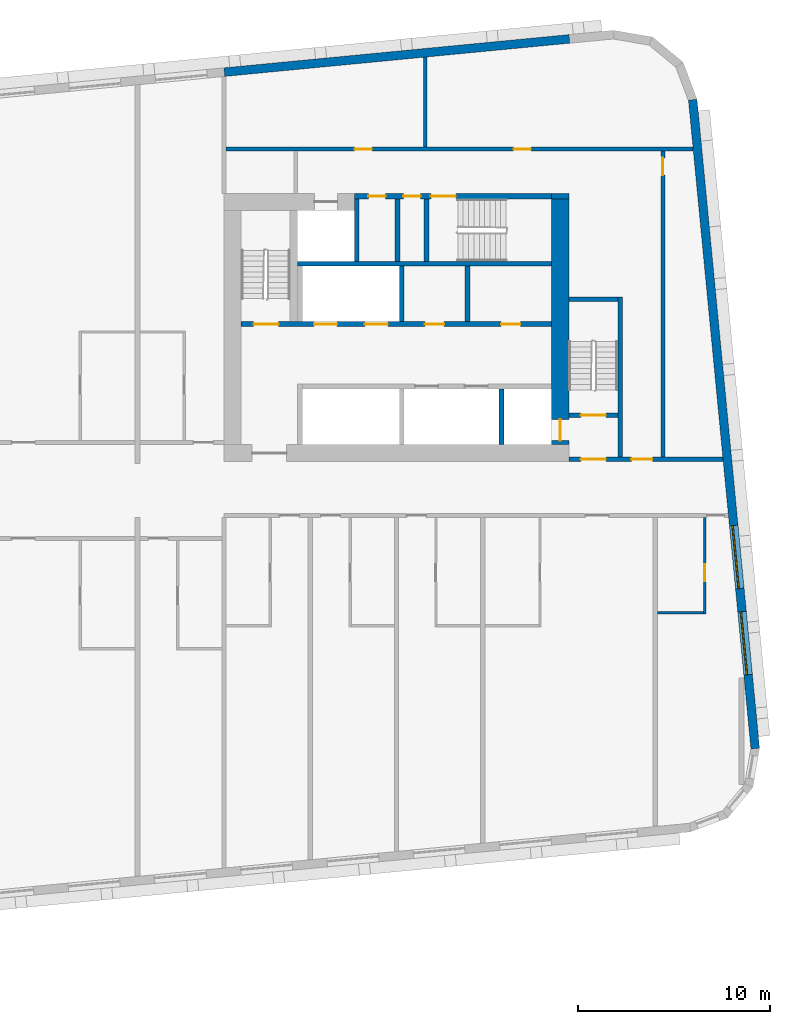
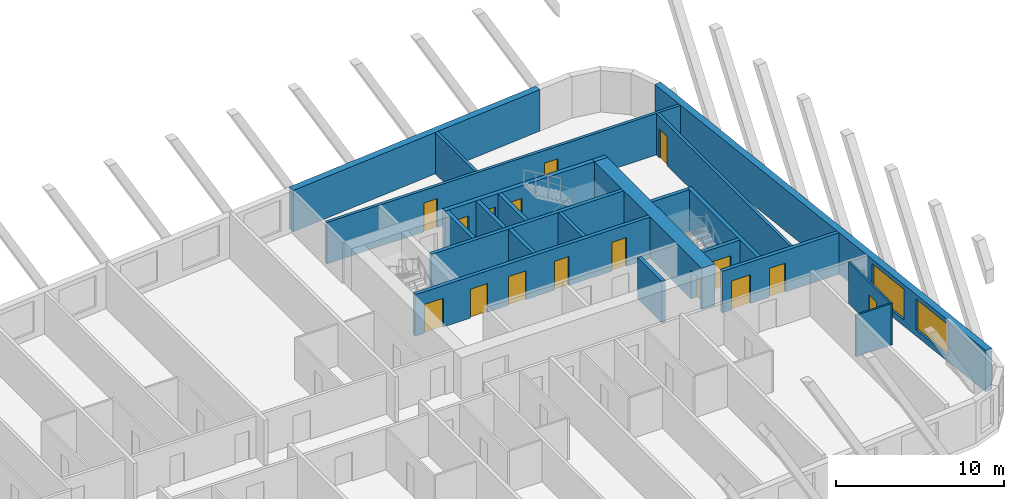
# One storey, part 7 of 13: 22 walls, 16 doors, 2 windows, 18 openings.
"""IFC4 building model written with IfcOpenShell, lengths in metres."""

from ifc_helpers import new_model, si_unit, direction, frame, frame_2d, origin, place, context, subcontext, project, spatial, rectangle, extrude, material, layer, layer_set, type_object, element, fill, save


model = new_model("IFC4")

# Units and contexts
model_context = context("Model", 3, precision=1e-05, world=origin(), true_north=direction((0.0, 1.0)))
body_context = subcontext(model_context, "Body", "Model", "MODEL_VIEW")
ifc_project = project(units=[si_unit("LENGTHUNIT", "METRE"), si_unit("AREAUNIT", "SQUARE_METRE"), si_unit("VOLUMEUNIT", "CUBIC_METRE"), si_unit("PLANEANGLEUNIT", "RADIAN"), si_unit("MASSUNIT", "GRAM", prefix="KILO")], contexts=[model_context])

# Site, building, storey
site_placement = place(None, origin())
site = spatial("IfcSite", under=ifc_project, at=site_placement, CompositionType="ELEMENT")
building_placement = place(site_placement, origin())
building = spatial("IfcBuilding", under=site, at=building_placement, Name="Kajstack Hotel Tower", CompositionType="ELEMENT")
storey_placement = place(building_placement, frame((0.0, 0.0, 166.89990234375)))
storey = spatial("IfcBuildingStorey", under=building, at=storey_placement, Name="L38", CompositionType="ELEMENT", Elevation=166.89990234375)

# Wall
ifc_material_1 = material(Name="Concrete C60/75", Category="concrete")
ifc_layer_1 = layer(ifc_material_1, 0.89990234375)
ifc_layer_set_1 = layer_set([ifc_layer_1], Name="Core wall 900")
wall_type_1 = type_object("IfcWallType", Name="Core wall 900", PredefinedType="SHEAR", material=ifc_layer_set_1)
wall_1_placement = place(storey_placement, frame((30.60009765625, 15.35009765625, 0.0), z_axis=(0.0, 0.0, 1.0), x_axis=(1.0, 0.0, 0.0)))
element("IfcWall", 1, at=wall_1_placement, inside=storey, type_object=wall_type_1, Name="Core wall E RSW", PredefinedType="SHEAR", context=body_context, shape_type="SweptSolid", body=[
    extrude(rectangle(XDim=0.89990234375, YDim=0.300048828125, at=frame_2d((0.449951171875, 0.0))), origin(), (0.0, 0.0, 1.0), 3.02001953125),
])

# Wall, opening, door
wall_2_placement = place(storey_placement, frame((31.050048828125, 2.39990234375, 0.0), z_axis=(0.0, 0.0, 1.0), x_axis=(0.0, 1.0, 0.0)))
wall_2 = element("IfcWall", 2, at=wall_2_placement, inside=storey, type_object=wall_type_1, Name="Core wall E RW", PredefinedType="SHEAR", context=body_context, shape_type="SweptSolid", body=[
    extrude(rectangle(XDim=12.800048828125, YDim=0.89990234375, at=frame_2d((6.39990234375, 0.0))), origin(), (0.0, 0.0, 1.0), 3.02001953125),
])
opening_1_placement = place(wall_2_placement, frame((0.199951171875, 0.0, 0.0)))
opening_1 = element("IfcOpeningElement", 3, at=opening_1_placement, cuts=wall_2, Name="Opening LD-FF2", PredefinedType="OPENING", context=body_context, shape_type="SweptSolid", body=[
    extrude(rectangle(XDim=1.10009765625, YDim=2.10009765625, at=frame_2d((0.550048828125, 1.050048828125))), frame((0.0, 0.4599609375, 0.0), z_axis=(0.0, -1.0, 0.0), x_axis=(1.0, 0.0, 0.0)), (0.0, 0.0, 1.0), 0.919921875),
])
ifc_material_2 = material(Name="Stainless steel", Category="steel")
door_type_1 = type_object("IfcDoorType", Name="Fire-fighting lift landing door 1100", OperationType="SLIDING_TO_LEFT", PredefinedType="DOOR", material=ifc_material_2)
door_1_placement = place(opening_1_placement, origin())
door_1 = element("IfcDoor", 4, at=door_1_placement, inside=storey, type_object=door_type_1, Name="Landing door FF2", OperationType="SLIDING_TO_LEFT", OverallHeight=2.10009765625, OverallWidth=1.10009765625, PredefinedType="DOOR", context=body_context, shape_type="SweptSolid", body=[
    extrude(rectangle(XDim=1.10009765625, YDim=2.10009765625, at=frame_2d((0.550048828125, 1.050048828125))), frame((0.0, 0.02490234375, 0.0), z_axis=(0.0, -1.0, 0.0), x_axis=(1.0, 0.0, 0.0)), (0.0, 0.0, 1.0), 0.050048828125),
])
fill(opening_1, door_1)

# Wall
ifc_material_3 = material(Name="Concrete C40/50", Category="concrete")
ifc_layer_2 = layer(ifc_material_3, 0.449951171875)
ifc_layer_set_2 = layer_set([ifc_layer_2], Name="EW-CORE")
wall_type_2 = type_object("IfcWallType", Name="EW-CORE", PredefinedType="SOLIDWALL", material=ifc_layer_set_2)
wall_3_placement = place(storey_placement, frame((31.521484375, 23.55078125, 0.0), z_axis=(0.0, 0.0, 1.0), x_axis=(-0.995395166513, -0.095856468129, 0.0)))
element("IfcWall", 5, at=wall_3_placement, inside=storey, type_object=wall_type_2, Name="E-wall-L38-12-01", PredefinedType="SOLIDWALL", context=body_context, shape_type="SweptSolid", body=[
    extrude(rectangle(XDim=18.083251953125, YDim=0.449951171875, at=frame_2d((9.04150390625, 0.0))), origin(), (0.0, 0.0, 1.0), 3.02001953125),
])

# Wall, openings, windows
ifc_material_4 = material(Name="Terracotta-faced brick masonry", Category="masonry")
ifc_layer_3 = layer(ifc_material_4, 0.449951171875)
ifc_layer_set_3 = layer_set([ifc_layer_3], Name="EW-TERRA")
wall_type_3 = type_object("IfcWallType", Name="EW-TERRA", PredefinedType="SOLIDWALL", material=ifc_layer_set_3)
wall_4_placement = place(storey_placement, frame((41.21435546875, -13.465576171875, 0.0), z_axis=(0.0, 0.0, 1.0), x_axis=(-0.095847314626, 0.995396047952, 0.0)))
wall_4 = element("IfcWall", 6, at=wall_4_placement, inside=storey, type_object=wall_type_3, Name="E-wall-L38-08-00", PredefinedType="SOLIDWALL", context=body_context, shape_type="SweptSolid", body=[
    extrude(rectangle(XDim=33.999755859375, YDim=0.449951171875, at=frame_2d((17.0, 0.0))), origin(), (0.0, 0.0, 1.0), 3.02001953125),
])
opening_2_placement = place(wall_4_placement, frame((3.869384765625, 0.0, 0.449951171875)))
opening_2 = element("IfcOpeningElement", 7, at=opening_2_placement, cuts=wall_4, Name="Opening W2", PredefinedType="OPENING", context=body_context, shape_type="SweptSolid", body=[
    extrude(rectangle(XDim=3.300048828125, YDim=2.25, at=frame_2d((1.64990234375, 1.125))), frame((0.0, 0.23486328125, 0.0), z_axis=(0.0, -1.0, 0.0), x_axis=(1.0, 0.0, 0.0)), (0.0, 0.0, 1.0), 0.469970703125),
])
opening_3_placement = place(wall_4_placement, frame((8.390380859375, 0.0, 0.449951171875)))
opening_3 = element("IfcOpeningElement", 8, at=opening_3_placement, cuts=wall_4, Name="Opening W2", PredefinedType="OPENING", context=body_context, shape_type="SweptSolid", body=[
    extrude(rectangle(XDim=3.300048828125, YDim=2.25, at=frame_2d((1.64990234375, 1.125))), frame((0.0, 0.23486328125, 0.0), z_axis=(0.0, -1.0, 0.0), x_axis=(1.0, 0.0, 0.0)), (0.0, 0.0, 1.0), 0.469970703125),
])
ifc_material_5 = material(Name="Timber-aluminium window, triple glazed", Category="wood")
window_type = type_object("IfcWindowType", Name="WG2", PartitioningType="SINGLE_PANEL", PredefinedType="WINDOW", material=ifc_material_5)
window_1_placement = place(opening_2_placement, origin())
window_1 = element("IfcWindow", 9, at=window_1_placement, inside=storey, type_object=window_type, Name="Window W2 L38-08", OverallHeight=2.25, OverallWidth=3.300048828125, PartitioningType="SINGLE_PANEL", PredefinedType="WINDOW", context=body_context, shape_type="SweptSolid", body=[
    extrude(rectangle(XDim=3.300048828125, YDim=2.25, at=frame_2d((1.64990234375, 1.125))), frame((0.0, 0.090087890625, 0.0), z_axis=(0.0, -1.0, 0.0), x_axis=(1.0, 0.0, 0.0)), (0.0, 0.0, 1.0), 0.06005859375),
])
fill(opening_2, window_1)
window_2_placement = place(opening_3_placement, origin())
window_2 = element("IfcWindow", 10, at=window_2_placement, inside=storey, type_object=window_type, Name="Window W2 L38-08", OverallHeight=2.25, OverallWidth=3.300048828125, PartitioningType="SINGLE_PANEL", PredefinedType="WINDOW", context=body_context, shape_type="SweptSolid", body=[
    extrude(rectangle(XDim=3.300048828125, YDim=2.25, at=frame_2d((1.64990234375, 1.125))), frame((0.0, 0.090087890625, 0.0), z_axis=(0.0, -1.0, 0.0), x_axis=(1.0, 0.0, 0.0)), (0.0, 0.0, 1.0), 0.06005859375),
])
fill(opening_3, window_2)

# Wall, opening, door
ifc_material_6 = material(Name="Gypsum board and tiled backer on steel studs", Category="steel")
ifc_layer_4 = layer(ifc_material_6, 0.125)
ifc_layer_set_4 = layer_set([ifc_layer_4], Name="En-suite wall 125")
wall_type_4 = type_object("IfcWallType", Name="En-suite wall 125", PredefinedType="PARTITIONING", material=ifc_layer_set_4)
wall_5_placement = place(storey_placement, frame((38.5869140625, -6.445068359375, 0.0), z_axis=(0.0, 0.0, 1.0), x_axis=(0.0, 1.0, 0.0)))
wall_5 = element("IfcWall", 11, at=wall_5_placement, inside=storey, type_object=wall_type_4, Name="G-wall-L38-051", PredefinedType="PARTITIONING", context=body_context, shape_type="SweptSolid", body=[
    extrude(rectangle(XDim=5.045166015625, YDim=0.125, at=frame_2d((2.5224609375, 0.0))), origin(), (0.0, 0.0, 1.0), 3.02001953125),
])
opening_4_placement = place(wall_5_placement, frame((1.695068359375, 0.0, 0.0)))
opening_4 = element("IfcOpeningElement", 12, at=opening_4_placement, cuts=wall_5, Name="Opening 38040", PredefinedType="OPENING", context=body_context, shape_type="SweptSolid", body=[
    extrude(rectangle(XDim=0.89990234375, YDim=2.10009765625, at=frame_2d((0.449951171875, 1.050048828125))), frame((0.0, 0.072509765625, 0.0), z_axis=(0.0, -1.0, 0.0), x_axis=(1.0, 0.0, 0.0)), (0.0, 0.0, 1.0), 0.14501953125),
])
ifc_material_7 = material(Name="Painted timber door leaf", Category="wood")
door_type_2 = type_object("IfcDoorType", Name="Room door 900", OperationType="SINGLE_SWING_LEFT", PredefinedType="DOOR", material=ifc_material_7)
door_2_placement = place(opening_4_placement, origin())
door_2 = element("IfcDoor", 13, at=door_2_placement, inside=storey, type_object=door_type_2, Name="G-door-L38-40", OperationType="SINGLE_SWING_RIGHT", OverallHeight=2.10009765625, OverallWidth=0.89990234375, PredefinedType="DOOR", context=body_context, shape_type="SweptSolid", body=[
    extrude(rectangle(XDim=0.89990234375, YDim=2.10009765625, at=frame_2d((0.449951171875, 1.050048828125))), frame((0.0, 0.02490234375, 0.0), z_axis=(0.0, -1.0, 0.0), x_axis=(1.0, 0.0, 0.0)), (0.0, 0.0, 1.0), 0.050048828125),
])
fill(opening_4, door_2)

# Walls
wall_6_placement = place(storey_placement, frame((36.125, -6.382080078125, 0.0), z_axis=(0.0, 0.0, 1.0), x_axis=(1.0, 0.0, 0.0)))
element("IfcWall", 14, at=wall_6_placement, inside=storey, type_object=wall_type_4, Name="G-wall-L38-052", PredefinedType="PARTITIONING", context=body_context, shape_type="SweptSolid", body=[
    extrude(rectangle(XDim=2.39990234375, YDim=0.125, at=frame_2d((1.199951171875, 0.0))), origin(), (0.0, 0.0, 1.0), 3.02001953125),
])
ifc_material_8 = material(Name="Concrete C50/60", Category="concrete")
ifc_layer_5 = layer(ifc_material_8, 0.300048828125)
ifc_layer_set_5 = layer_set([ifc_layer_5], Name="Hoistway divider wall 300")
wall_type_5 = type_object("IfcWallType", Name="Hoistway divider wall 300", PredefinedType="SHEAR", material=ifc_layer_set_5)
wall_7_placement = place(storey_placement, frame((22.77490234375, 8.800048828125, 0.0), z_axis=(0.0, 0.0, 1.0), x_axis=(0.0, 1.0, 0.0)))
element("IfcWall", 15, at=wall_7_placement, inside=storey, type_object=wall_type_5, Name="Core wall E BP2", PredefinedType="SHEAR", context=body_context, shape_type="SweptSolid", body=[
    extrude(rectangle(XDim=2.89990234375, YDim=0.25, at=frame_2d((1.449951171875, 0.0))), origin(), (0.0, 0.0, 1.0), 3.02001953125),
])
ifc_material_9 = material(Name="Concrete block masonry", Category="masonry")
ifc_layer_6 = layer(ifc_material_9, 0.25)
ifc_layer_set_6 = layer_set([ifc_layer_6], Name="Riser partition 250")
wall_type_6 = type_object("IfcWallType", Name="Riser partition 250", PredefinedType="PARTITIONING", material=ifc_layer_set_6)
wall_8_placement = place(storey_placement, frame((26.199951171875, 8.800048828125, 0.0), z_axis=(0.0, 0.0, 1.0), x_axis=(0.0, 1.0, 0.0)))
element("IfcWall", 16, at=wall_8_placement, inside=storey, type_object=wall_type_6, Name="Partition E BF0", PredefinedType="PARTITIONING", context=body_context, shape_type="SweptSolid", body=[
    extrude(rectangle(XDim=2.89990234375, YDim=0.25, at=frame_2d((1.449951171875, 0.0))), origin(), (0.0, 0.0, 1.0), 3.02001953125),
])
wall_9_placement = place(storey_placement, frame((22.550048828125, 11.949951171875, 0.0), z_axis=(0.0, 0.0, 1.0), x_axis=(0.0, 1.0, 0.0)))
element("IfcWall", 17, at=wall_9_placement, inside=storey, type_object=wall_type_6, Name="Partition E SZ0", PredefinedType="PARTITIONING", context=body_context, shape_type="SweptSolid", body=[
    extrude(rectangle(XDim=3.25, YDim=0.25, at=frame_2d((1.625, 0.0))), origin(), (0.0, 0.0, 1.0), 3.02001953125),
])

# Wall, openings, doors
ifc_material_10 = material(Name="Gypsum board on steel studs, mineral wool", Category="steel")
ifc_layer_7 = layer(ifc_material_10, 0.199951171875)
ifc_layer_set_7 = layer_set([ifc_layer_7], Name="Service partition 200")
wall_type_7 = type_object("IfcWallType", Name="Service partition 200", PredefinedType="PARTITIONING", material=ifc_layer_set_7)
wall_10_placement = place(storey_placement, frame((31.5, 1.625, 0.0), z_axis=(0.0, 0.0, 1.0), x_axis=(1.0, 0.0, 0.0)))
wall_10 = element("IfcWall", 18, at=wall_10_placement, inside=storey, type_object=wall_type_7, Name="Partition E SN", PredefinedType="PARTITIONING", context=body_context, shape_type="SweptSolid", body=[
    extrude(rectangle(XDim=8.035400390625, YDim=0.25, at=frame_2d((4.017578125, 0.0))), origin(), (0.0, 0.0, 1.0), 3.02001953125),
])
opening_5_placement = place(wall_10_placement, frame((0.625, 0.0, 0.0)))
opening_5 = element("IfcOpeningElement", 19, at=opening_5_placement, cuts=wall_10, Name="Opening 38E08", PredefinedType="OPENING", context=body_context, shape_type="SweptSolid", body=[
    extrude(rectangle(XDim=1.300048828125, YDim=2.10009765625, at=frame_2d((0.64990234375, 1.050048828125))), frame((0.0, 0.135009765625, 0.0), z_axis=(0.0, -1.0, 0.0), x_axis=(1.0, 0.0, 0.0)), (0.0, 0.0, 1.0), 0.27001953125),
])
opening_6_placement = place(wall_10_placement, frame((3.25, 0.0, 0.0)))
opening_6 = element("IfcOpeningElement", 20, at=opening_6_placement, cuts=wall_10, Name="Opening 38E10", PredefinedType="OPENING", context=body_context, shape_type="SweptSolid", body=[
    extrude(rectangle(XDim=1.10009765625, YDim=2.10009765625, at=frame_2d((0.550048828125, 1.050048828125))), frame((0.0, 0.135009765625, 0.0), z_axis=(0.0, -1.0, 0.0), x_axis=(1.0, 0.0, 0.0)), (0.0, 0.0, 1.0), 0.27001953125),
])
ifc_material_11 = material(Name="Steel leaf, fire-rated", Category="steel")
door_type_3 = type_object("IfcDoorType", Name="Fire lobby door 1300", OperationType="SINGLE_SWING_LEFT", PredefinedType="DOOR", material=ifc_material_11)
door_3_placement = place(opening_5_placement, origin())
door_3 = element("IfcDoor", 21, at=door_3_placement, inside=storey, type_object=door_type_3, Name="Door 38E08", OperationType="SINGLE_SWING_LEFT", OverallHeight=2.10009765625, OverallWidth=1.300048828125, PredefinedType="DOOR", context=body_context, shape_type="SweptSolid", body=[
    extrude(rectangle(XDim=1.300048828125, YDim=2.10009765625, at=frame_2d((0.64990234375, 1.050048828125))), frame((0.0, 0.02490234375, 0.0), z_axis=(0.0, -1.0, 0.0), x_axis=(1.0, 0.0, 0.0)), (0.0, 0.0, 1.0), 0.050048828125),
])
fill(opening_5, door_3)
ifc_material_12 = material(Name="Timber leaf, fire-rated", Category="wood")
door_type_4 = type_object("IfcDoorType", Name="Service corridor door 1100", OperationType="SINGLE_SWING_LEFT", PredefinedType="DOOR", material=ifc_material_12)
door_4_placement = place(opening_6_placement, origin())
door_4 = element("IfcDoor", 22, at=door_4_placement, inside=storey, type_object=door_type_4, Name="Door 38E10", OperationType="SINGLE_SWING_LEFT", OverallHeight=2.10009765625, OverallWidth=1.10009765625, PredefinedType="DOOR", context=body_context, shape_type="SweptSolid", body=[
    extrude(rectangle(XDim=1.10009765625, YDim=2.10009765625, at=frame_2d((0.550048828125, 1.050048828125))), frame((0.0, 0.02490234375, 0.0), z_axis=(0.0, -1.0, 0.0), x_axis=(1.0, 0.0, 0.0)), (0.0, 0.0, 1.0), 0.050048828125),
])
fill(opening_6, door_4)

# Wall, opening, door
wall_11_placement = place(storey_placement, frame((36.39990234375, 1.75, 0.0), z_axis=(0.0, 0.0, 1.0), x_axis=(0.0, 1.0, 0.0)))
wall_11 = element("IfcWall", 23, at=wall_11_placement, inside=storey, type_object=wall_type_7, Name="Partition E WRE", PredefinedType="PARTITIONING", context=body_context, shape_type="SweptSolid", body=[
    extrude(rectangle(XDim=15.949951171875, YDim=0.199951171875, at=frame_2d((7.97509765625, 0.0))), origin(), (0.0, 0.0, 1.0), 3.02001953125),
])
opening_7_placement = place(wall_11_placement, frame((14.699951171875, 0.0, 0.0)))
opening_7 = element("IfcOpeningElement", 24, at=opening_7_placement, cuts=wall_11, Name="Opening 38E19", PredefinedType="OPENING", context=body_context, shape_type="SweptSolid", body=[
    extrude(rectangle(XDim=0.89990234375, YDim=2.10009765625, at=frame_2d((0.449951171875, 1.050048828125))), frame((0.0, 0.10986328125, 0.0), z_axis=(0.0, -1.0, 0.0), x_axis=(1.0, 0.0, 0.0)), (0.0, 0.0, 1.0), 0.219970703125),
])
door_type_5 = type_object("IfcDoorType", Name="Service door 900", OperationType="SINGLE_SWING_LEFT", PredefinedType="DOOR", material=ifc_material_12)
door_5_placement = place(opening_7_placement, origin())
door_5 = element("IfcDoor", 25, at=door_5_placement, inside=storey, type_object=door_type_5, Name="Door 38E19", OperationType="SINGLE_SWING_RIGHT", OverallHeight=2.10009765625, OverallWidth=0.89990234375, PredefinedType="DOOR", context=body_context, shape_type="SweptSolid", body=[
    extrude(rectangle(XDim=0.89990234375, YDim=2.10009765625, at=frame_2d((0.449951171875, 1.050048828125))), frame((0.0, 0.02490234375, 0.0), z_axis=(0.0, -1.0, 0.0), x_axis=(1.0, 0.0, 0.0)), (0.0, 0.0, 1.0), 0.050048828125),
])
fill(opening_7, door_5)

# Wall, openings, doors
wall_12_placement = place(storey_placement, frame((13.60009765625, 17.800048828125, 0.0), z_axis=(0.0, 0.0, 1.0), x_axis=(1.0, 0.0, 0.0)))
wall_12 = element("IfcWall", 26, at=wall_12_placement, inside=storey, type_object=wall_type_7, Name="Partition E SLN", PredefinedType="PARTITIONING", context=body_context, shape_type="SweptSolid", body=[
    extrude(rectangle(XDim=24.377685546875, YDim=0.199951171875, at=frame_2d((12.18896484375, 0.0))), origin(), (0.0, 0.0, 1.0), 3.02001953125),
])
opening_8_placement = place(wall_12_placement, frame((15.012451171875, 0.0, 0.0)))
opening_8 = element("IfcOpeningElement", 27, at=opening_8_placement, cuts=wall_12, Name="Opening 38E17", PredefinedType="OPENING", context=body_context, shape_type="SweptSolid", body=[
    extrude(rectangle(XDim=0.89990234375, YDim=2.10009765625, at=frame_2d((0.449951171875, 1.050048828125))), frame((0.0, 0.10986328125, 0.0), z_axis=(0.0, -1.0, 0.0), x_axis=(1.0, 0.0, 0.0)), (0.0, 0.0, 1.0), 0.219970703125),
])
opening_9_placement = place(wall_12_placement, frame((6.71240234375, 0.0, 0.0)))
opening_9 = element("IfcOpeningElement", 28, at=opening_9_placement, cuts=wall_12, Name="Opening 38E18", PredefinedType="OPENING", context=body_context, shape_type="SweptSolid", body=[
    extrude(rectangle(XDim=0.89990234375, YDim=2.10009765625, at=frame_2d((0.449951171875, 1.050048828125))), frame((0.0, 0.10986328125, 0.0), z_axis=(0.0, -1.0, 0.0), x_axis=(1.0, 0.0, 0.0)), (0.0, 0.0, 1.0), 0.219970703125),
])
door_6_placement = place(opening_8_placement, origin())
door_6 = element("IfcDoor", 29, at=door_6_placement, inside=storey, type_object=door_type_5, Name="Door 38E17", OperationType="SINGLE_SWING_LEFT", OverallHeight=2.10009765625, OverallWidth=0.89990234375, PredefinedType="DOOR", context=body_context, shape_type="SweptSolid", body=[
    extrude(rectangle(XDim=0.89990234375, YDim=2.10009765625, at=frame_2d((0.449951171875, 1.050048828125))), frame((0.0, 0.02490234375, 0.0), z_axis=(0.0, -1.0, 0.0), x_axis=(1.0, 0.0, 0.0)), (0.0, 0.0, 1.0), 0.050048828125),
])
fill(opening_8, door_6)
door_7_placement = place(opening_9_placement, origin())
door_7 = element("IfcDoor", 30, at=door_7_placement, inside=storey, type_object=door_type_5, Name="Door 38E18", OperationType="SINGLE_SWING_LEFT", OverallHeight=2.10009765625, OverallWidth=0.89990234375, PredefinedType="DOOR", context=body_context, shape_type="SweptSolid", body=[
    extrude(rectangle(XDim=0.89990234375, YDim=2.10009765625, at=frame_2d((0.449951171875, 1.050048828125))), frame((0.0, 0.02490234375, 0.0), z_axis=(0.0, -1.0, 0.0), x_axis=(1.0, 0.0, 0.0)), (0.0, 0.0, 1.0), 0.050048828125),
])
fill(opening_9, door_7)

# Wall
wall_13_placement = place(storey_placement, frame((24.0, 17.89990234375, 0.0), z_axis=(0.0, 0.0, 1.0), x_axis=(0.0, 1.0, 0.0)))
element("IfcWall", 31, at=wall_13_placement, inside=storey, type_object=wall_type_7, Name="Partition E SLP0", PredefinedType="PARTITIONING", context=body_context, shape_type="SweptSolid", body=[
    extrude(rectangle(XDim=4.701416015625, YDim=0.199951171875, at=frame_2d((2.3505859375, 0.0))), origin(), (0.0, 0.0, 1.0), 3.02001953125),
])

# Wall, openings, doors
ifc_layer_8 = layer(ifc_material_8, 0.25)
ifc_layer_set_8 = layer_set([ifc_layer_8], Name="Shaft wall 250")
wall_type_8 = type_object("IfcWallType", Name="Shaft wall 250", PredefinedType="SHEAR", material=ifc_layer_set_8)
wall_14_placement = place(storey_placement, frame((20.300048828125, 15.35009765625, 0.0), z_axis=(0.0, 0.0, 1.0), x_axis=(1.0, 0.0, 0.0)))
wall_14 = element("IfcWall", 32, at=wall_14_placement, inside=storey, type_object=wall_type_8, Name="Core wall E RSS", PredefinedType="SHEAR", context=body_context, shape_type="SweptSolid", body=[
    extrude(rectangle(XDim=10.300048828125, YDim=0.300048828125, at=frame_2d((5.14990234375, 0.0))), origin(), (0.0, 0.0, 1.0), 3.02001953125),
])
opening_10_placement = place(wall_14_placement, frame((4.0, 0.0, 0.0)))
opening_10 = element("IfcOpeningElement", 33, at=opening_10_placement, cuts=wall_14, Name="Opening 38E12", PredefinedType="OPENING", context=body_context, shape_type="SweptSolid", body=[
    extrude(rectangle(XDim=1.300048828125, YDim=2.10009765625, at=frame_2d((0.64990234375, 1.050048828125))), frame((0.0, 0.159912109375, 0.0), z_axis=(0.0, -1.0, 0.0), x_axis=(1.0, 0.0, 0.0)), (0.0, 0.0, 1.0), 0.320068359375),
])
opening_11_placement = place(wall_14_placement, frame((2.5625, 0.0, 0.0)))
opening_11 = element("IfcOpeningElement", 34, at=opening_11_placement, cuts=wall_14, Name="Opening 38E13", PredefinedType="OPENING", context=body_context, shape_type="SweptSolid", body=[
    extrude(rectangle(XDim=0.89990234375, YDim=2.10009765625, at=frame_2d((0.449951171875, 1.050048828125))), frame((0.0, 0.159912109375, 0.0), z_axis=(0.0, -1.0, 0.0), x_axis=(1.0, 0.0, 0.0)), (0.0, 0.0, 1.0), 0.320068359375),
])
opening_12_placement = place(wall_14_placement, frame((0.737548828125, 0.0, 0.0)))
opening_12 = element("IfcOpeningElement", 35, at=opening_12_placement, cuts=wall_14, Name="Opening 38E14", PredefinedType="OPENING", context=body_context, shape_type="SweptSolid", body=[
    extrude(rectangle(XDim=0.89990234375, YDim=2.10009765625, at=frame_2d((0.449951171875, 1.050048828125))), frame((0.0, 0.159912109375, 0.0), z_axis=(0.0, -1.0, 0.0), x_axis=(1.0, 0.0, 0.0)), (0.0, 0.0, 1.0), 0.320068359375),
])
door_type_6 = type_object("IfcDoorType", Name="Riser door 900", OperationType="SINGLE_SWING_LEFT", PredefinedType="DOOR", material=ifc_material_11)
door_8_placement = place(opening_12_placement, origin())
door_8 = element("IfcDoor", 36, at=door_8_placement, inside=storey, type_object=door_type_6, Name="Door 38E14", OperationType="SINGLE_SWING_RIGHT", OverallHeight=2.10009765625, OverallWidth=0.89990234375, PredefinedType="DOOR", context=body_context, shape_type="SweptSolid", body=[
    extrude(rectangle(XDim=0.89990234375, YDim=2.10009765625, at=frame_2d((0.449951171875, 1.050048828125))), frame((0.0, 0.02490234375, 0.0), z_axis=(0.0, -1.0, 0.0), x_axis=(1.0, 0.0, 0.0)), (0.0, 0.0, 1.0), 0.050048828125),
])
fill(opening_12, door_8)
door_9_placement = place(opening_11_placement, origin())
door_9 = element("IfcDoor", 37, at=door_9_placement, inside=storey, type_object=door_type_5, Name="Door 38E13", OperationType="SINGLE_SWING_RIGHT", OverallHeight=2.10009765625, OverallWidth=0.89990234375, PredefinedType="DOOR", context=body_context, shape_type="SweptSolid", body=[
    extrude(rectangle(XDim=0.89990234375, YDim=2.10009765625, at=frame_2d((0.449951171875, 1.050048828125))), frame((0.0, 0.02490234375, 0.0), z_axis=(0.0, -1.0, 0.0), x_axis=(1.0, 0.0, 0.0)), (0.0, 0.0, 1.0), 0.050048828125),
])
fill(opening_11, door_9)
door_type_7 = type_object("IfcDoorType", Name="Stair door 1300", OperationType="SINGLE_SWING_LEFT", PredefinedType="DOOR", material=ifc_material_11)
door_10_placement = place(opening_10_placement, origin())
door_10 = element("IfcDoor", 38, at=door_10_placement, inside=storey, type_object=door_type_7, Name="Door 38E12", OperationType="SINGLE_SWING_LEFT", OverallHeight=2.10009765625, OverallWidth=1.300048828125, PredefinedType="DOOR", context=body_context, shape_type="SweptSolid", body=[
    extrude(rectangle(XDim=1.300048828125, YDim=2.10009765625, at=frame_2d((0.64990234375, 1.050048828125))), frame((0.0, 0.02490234375, 0.0), z_axis=(0.0, -1.0, 0.0), x_axis=(1.0, 0.0, 0.0)), (0.0, 0.0, 1.0), 0.050048828125),
])
fill(opening_10, door_10)

# Wall
wall_15_placement = place(storey_placement, frame((27.97509765625, 2.39990234375, 0.0), z_axis=(0.0, 0.0, 1.0), x_axis=(0.0, 1.0, 0.0)))
element("IfcWall", 39, at=wall_15_placement, inside=storey, type_object=wall_type_8, Name="Core wall E AP0", PredefinedType="SHEAR", context=body_context, shape_type="SweptSolid", body=[
    extrude(rectangle(XDim=2.900146484375, YDim=0.25, at=frame_2d((1.4501953125, 0.0))), origin(), (0.0, 0.0, 1.0), 3.02001953125),
])

# Wall, openings, doors
wall_16_placement = place(storey_placement, frame((14.39990234375, 8.675048828125, 0.0), z_axis=(0.0, 0.0, 1.0), x_axis=(1.0, 0.0, 0.0)))
wall_16 = element("IfcWall", 40, at=wall_16_placement, inside=storey, type_object=wall_type_8, Name="Core wall E FB", PredefinedType="SHEAR", context=body_context, shape_type="SweptSolid", body=[
    extrude(rectangle(XDim=16.2001953125, YDim=0.25, at=frame_2d((8.10009765625, 0.0))), origin(), (0.0, 0.0, 1.0), 3.02001953125),
])
opening_13_placement = place(wall_16_placement, frame((6.449951171875, 0.0, 0.0)))
opening_13 = element("IfcOpeningElement", 41, at=opening_13_placement, cuts=wall_16, Name="Opening LD-MR5", PredefinedType="OPENING", context=body_context, shape_type="SweptSolid", body=[
    extrude(rectangle(XDim=1.199951171875, YDim=2.10009765625, at=frame_2d((0.60009765625, 1.050048828125))), frame((0.0, 0.135009765625, 0.0), z_axis=(0.0, -1.0, 0.0), x_axis=(1.0, 0.0, 0.0)), (0.0, 0.0, 1.0), 0.27001953125),
])
opening_14_placement = place(wall_16_placement, frame((3.800048828125, 0.0, 0.0)))
opening_14 = element("IfcOpeningElement", 42, at=opening_14_placement, cuts=wall_16, Name="Opening LD-MR6", PredefinedType="OPENING", context=body_context, shape_type="SweptSolid", body=[
    extrude(rectangle(XDim=1.199951171875, YDim=2.10009765625, at=frame_2d((0.60009765625, 1.050048828125))), frame((0.0, 0.135009765625, 0.0), z_axis=(0.0, -1.0, 0.0), x_axis=(1.0, 0.0, 0.0)), (0.0, 0.0, 1.0), 0.27001953125),
])
opening_15_placement = place(wall_16_placement, frame((0.64990234375, 0.0, 0.0)))
opening_15 = element("IfcOpeningElement", 43, at=opening_15_placement, cuts=wall_16, Name="Opening 38E11", PredefinedType="OPENING", context=body_context, shape_type="SweptSolid", body=[
    extrude(rectangle(XDim=1.300048828125, YDim=2.10009765625, at=frame_2d((0.64990234375, 1.050048828125))), frame((0.0, 0.135009765625, 0.0), z_axis=(0.0, -1.0, 0.0), x_axis=(1.0, 0.0, 0.0)), (0.0, 0.0, 1.0), 0.27001953125),
])
opening_16_placement = place(wall_16_placement, frame((13.5625, 0.0, 0.0)))
opening_16 = element("IfcOpeningElement", 44, at=opening_16_placement, cuts=wall_16, Name="Opening 38E15", PredefinedType="OPENING", context=body_context, shape_type="SweptSolid", body=[
    extrude(rectangle(XDim=1.0, YDim=2.10009765625, at=frame_2d((0.5, 1.050048828125))), frame((0.0, 0.135009765625, 0.0), z_axis=(0.0, -1.0, 0.0), x_axis=(1.0, 0.0, 0.0)), (0.0, 0.0, 1.0), 0.27001953125),
])
opening_17_placement = place(wall_16_placement, frame((9.58740234375, 0.0, 0.0)))
opening_17 = element("IfcOpeningElement", 45, at=opening_17_placement, cuts=wall_16, Name="Opening 38E16", PredefinedType="OPENING", context=body_context, shape_type="SweptSolid", body=[
    extrude(rectangle(XDim=1.0, YDim=2.10009765625, at=frame_2d((0.5, 1.050048828125))), frame((0.0, 0.135009765625, 0.0), z_axis=(0.0, -1.0, 0.0), x_axis=(1.0, 0.0, 0.0)), (0.0, 0.0, 1.0), 0.27001953125),
])
door_type_8 = type_object("IfcDoorType", Name="Lift landing door 1200", OperationType="SLIDING_TO_LEFT", PredefinedType="DOOR", material=ifc_material_2)
door_11_placement = place(opening_13_placement, origin())
door_11 = element("IfcDoor", 46, at=door_11_placement, inside=storey, type_object=door_type_8, Name="Landing door MR5", OperationType="SLIDING_TO_LEFT", OverallHeight=2.10009765625, OverallWidth=1.199951171875, PredefinedType="DOOR", context=body_context, shape_type="SweptSolid", body=[
    extrude(rectangle(XDim=1.199951171875, YDim=2.10009765625, at=frame_2d((0.60009765625, 1.050048828125))), frame((0.0, 0.02490234375, 0.0), z_axis=(0.0, -1.0, 0.0), x_axis=(1.0, 0.0, 0.0)), (0.0, 0.0, 1.0), 0.050048828125),
])
fill(opening_13, door_11)
door_12_placement = place(opening_14_placement, origin())
door_12 = element("IfcDoor", 47, at=door_12_placement, inside=storey, type_object=door_type_8, Name="Landing door MR6", OperationType="SLIDING_TO_RIGHT", OverallHeight=2.10009765625, OverallWidth=1.199951171875, PredefinedType="DOOR", context=body_context, shape_type="SweptSolid", body=[
    extrude(rectangle(XDim=1.199951171875, YDim=2.10009765625, at=frame_2d((0.60009765625, 1.050048828125))), frame((0.0, 0.02490234375, 0.0), z_axis=(0.0, -1.0, 0.0), x_axis=(1.0, 0.0, 0.0)), (0.0, 0.0, 1.0), 0.050048828125),
])
fill(opening_14, door_12)
door_type_9 = type_object("IfcDoorType", Name="Service room door 1000", OperationType="SINGLE_SWING_LEFT", PredefinedType="DOOR", material=ifc_material_12)
door_13_placement = place(opening_16_placement, origin())
door_13 = element("IfcDoor", 48, at=door_13_placement, inside=storey, type_object=door_type_9, Name="Door 38E15", OperationType="SINGLE_SWING_LEFT", OverallHeight=2.10009765625, OverallWidth=1.0, PredefinedType="DOOR", context=body_context, shape_type="SweptSolid", body=[
    extrude(rectangle(XDim=1.0, YDim=2.10009765625, at=frame_2d((0.5, 1.050048828125))), frame((0.0, 0.02490234375, 0.0), z_axis=(0.0, -1.0, 0.0), x_axis=(1.0, 0.0, 0.0)), (0.0, 0.0, 1.0), 0.050048828125),
])
fill(opening_16, door_13)
door_14_placement = place(opening_17_placement, origin())
door_14 = element("IfcDoor", 49, at=door_14_placement, inside=storey, type_object=door_type_9, Name="Door 38E16", OperationType="SINGLE_SWING_LEFT", OverallHeight=2.10009765625, OverallWidth=1.0, PredefinedType="DOOR", context=body_context, shape_type="SweptSolid", body=[
    extrude(rectangle(XDim=1.0, YDim=2.10009765625, at=frame_2d((0.5, 1.050048828125))), frame((0.0, 0.02490234375, 0.0), z_axis=(0.0, -1.0, 0.0), x_axis=(1.0, 0.0, 0.0)), (0.0, 0.0, 1.0), 0.050048828125),
])
fill(opening_17, door_14)
door_15_placement = place(opening_15_placement, origin())
door_15 = element("IfcDoor", 50, at=door_15_placement, inside=storey, type_object=door_type_7, Name="Door 38E11", OperationType="SINGLE_SWING_LEFT", OverallHeight=2.10009765625, OverallWidth=1.300048828125, PredefinedType="DOOR", context=body_context, shape_type="SweptSolid", body=[
    extrude(rectangle(XDim=1.300048828125, YDim=2.10009765625, at=frame_2d((0.64990234375, 1.050048828125))), frame((0.0, 0.02490234375, 0.0), z_axis=(0.0, -1.0, 0.0), x_axis=(1.0, 0.0, 0.0)), (0.0, 0.0, 1.0), 0.050048828125),
])
fill(opening_15, door_15)

# Walls
wall_17_placement = place(storey_placement, frame((17.35009765625, 11.824951171875, 0.0), z_axis=(0.0, 0.0, 1.0), x_axis=(1.0, 0.0, 0.0)))
element("IfcWall", 51, at=wall_17_placement, inside=storey, type_object=wall_type_8, Name="Core wall E RB", PredefinedType="SHEAR", context=body_context, shape_type="SweptSolid", body=[
    extrude(rectangle(XDim=13.25, YDim=0.25, at=frame_2d((6.625, 0.0))), origin(), (0.0, 0.0, 1.0), 3.02001953125),
])
wall_18_placement = place(storey_placement, frame((20.425048828125, 11.949951171875, 0.0), z_axis=(0.0, 0.0, 1.0), x_axis=(0.0, 1.0, 0.0)))
element("IfcWall", 52, at=wall_18_placement, inside=storey, type_object=wall_type_8, Name="Core wall E SVW", PredefinedType="SHEAR", context=body_context, shape_type="SweptSolid", body=[
    extrude(rectangle(XDim=3.25, YDim=0.25, at=frame_2d((1.625, 0.0))), origin(), (0.0, 0.0, 1.0), 3.02001953125),
])

# Wall, opening, door
ifc_layer_9 = layer(ifc_material_3, 0.25)
ifc_layer_set_9 = layer_set([ifc_layer_9], Name="Stair enclosure wall 250")
wall_type_9 = type_object("IfcWallType", Name="Stair enclosure wall 250", PredefinedType="SHEAR", material=ifc_layer_set_9)
wall_19_placement = place(storey_placement, frame((31.5, 3.925048828125, 0.0), z_axis=(0.0, 0.0, 1.0), x_axis=(1.0, 0.0, 0.0)))
wall_19 = element("IfcWall", 53, at=wall_19_placement, inside=storey, type_object=wall_type_9, Name="Core wall E W1N", PredefinedType="SHEAR", context=body_context, shape_type="SweptSolid", body=[
    extrude(rectangle(XDim=2.550048828125, YDim=0.25, at=frame_2d((1.27490234375, 0.0))), origin(), (0.0, 0.0, 1.0), 3.02001953125),
])
opening_18_placement = place(wall_19_placement, frame((0.625, 0.0, 0.0)))
opening_18 = element("IfcOpeningElement", 54, at=opening_18_placement, cuts=wall_19, Name="Opening 38E09", PredefinedType="OPENING", context=body_context, shape_type="SweptSolid", body=[
    extrude(rectangle(XDim=1.300048828125, YDim=2.10009765625, at=frame_2d((0.64990234375, 1.050048828125))), frame((0.0, 0.135009765625, 0.0), z_axis=(0.0, -1.0, 0.0), x_axis=(1.0, 0.0, 0.0)), (0.0, 0.0, 1.0), 0.27001953125),
])
door_16_placement = place(opening_18_placement, origin())
door_16 = element("IfcDoor", 55, at=door_16_placement, inside=storey, type_object=door_type_7, Name="Door 38E09", OperationType="SINGLE_SWING_LEFT", OverallHeight=2.10009765625, OverallWidth=1.300048828125, PredefinedType="DOOR", context=body_context, shape_type="SweptSolid", body=[
    extrude(rectangle(XDim=1.300048828125, YDim=2.10009765625, at=frame_2d((0.64990234375, 1.050048828125))), frame((0.0, 0.02490234375, 0.0), z_axis=(0.0, -1.0, 0.0), x_axis=(1.0, 0.0, 0.0)), (0.0, 0.0, 1.0), 0.050048828125),
])
fill(opening_18, door_16)

# Walls
wall_20_placement = place(storey_placement, frame((34.175048828125, 1.75, 0.0), z_axis=(0.0, 0.0, 1.0), x_axis=(0.0, 1.0, 0.0)))
element("IfcWall", 56, at=wall_20_placement, inside=storey, type_object=wall_type_9, Name="Core wall E W1W", PredefinedType="SHEAR", context=body_context, shape_type="SweptSolid", body=[
    extrude(rectangle(XDim=8.35009765625, YDim=0.25, at=frame_2d((4.175048828125, 0.0))), origin(), (0.0, 0.0, 1.0), 3.02001953125),
])
wall_21_placement = place(storey_placement, frame((31.5, 9.97509765625, 0.0), z_axis=(0.0, 0.0, 1.0), x_axis=(1.0, 0.0, 0.0)))
element("IfcWall", 57, at=wall_21_placement, inside=storey, type_object=wall_type_9, Name="Core wall E W1S", PredefinedType="SHEAR", context=body_context, shape_type="SweptSolid", body=[
    extrude(rectangle(XDim=2.550048828125, YDim=0.25, at=frame_2d((1.27490234375, 0.0))), origin(), (0.0, 0.0, 1.0), 3.02001953125),
])
ifc_layer_10 = layer(ifc_material_8, 0.35009765625)
ifc_layer_set_10 = layer_set([ifc_layer_10], Name="Stair enclosure wall 350")
wall_type_10 = type_object("IfcWallType", Name="Stair enclosure wall 350", PredefinedType="SHEAR", material=ifc_layer_set_10)
wall_22_placement = place(storey_placement, frame((24.074951171875, 11.949951171875, 0.0), z_axis=(0.0, 0.0, 1.0), x_axis=(0.0, 1.0, 0.0)))
element("IfcWall", 58, at=wall_22_placement, inside=storey, type_object=wall_type_10, Name="Core wall E W3E", PredefinedType="SHEAR", context=body_context, shape_type="SweptSolid", body=[
    extrude(rectangle(XDim=3.25, YDim=0.25, at=frame_2d((1.625, 0.0))), origin(), (0.0, 0.0, 1.0), 3.02001953125),
])

save(model, "model.ifc")
